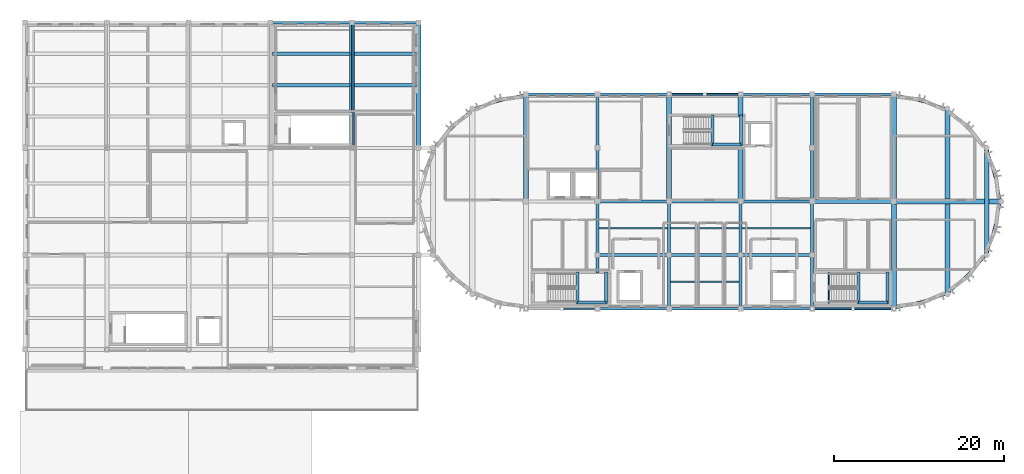
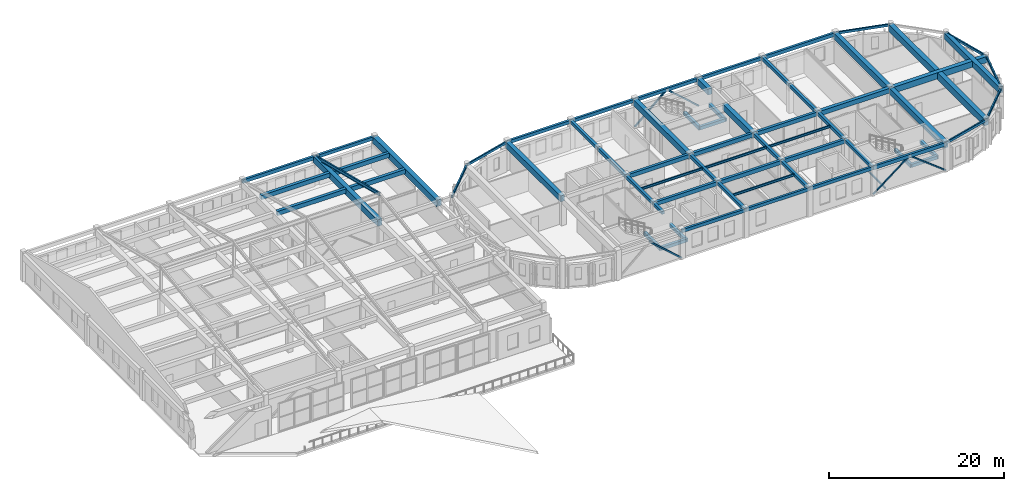
# One storey, part 12 of 29: 66 beams, 6 members.
"""IFC4 building model written with IfcOpenShell, lengths in metres."""

from ifc_helpers import new_model, si_unit, direction, frame, origin, origin_2d, place, context, subcontext, project, spatial, rectangle, hollow_rectangle, i_section, extrude, material, material_profile, profile_set, type_object, element, save


model = new_model("IFC4")

# Units and contexts
model_context = context("Model", 3, precision=1e-05, world=origin(), true_north=direction((0.0, 1.0)))
body_context = subcontext(model_context, "Body", "Model", "MODEL_VIEW")
ifc_project = project(units=[si_unit("LENGTHUNIT", "METRE"), si_unit("AREAUNIT", "SQUARE_METRE"), si_unit("VOLUMEUNIT", "CUBIC_METRE"), si_unit("PLANEANGLEUNIT", "RADIAN"), si_unit("MASSUNIT", "GRAM", prefix="KILO")], contexts=[model_context])

# Site, building, storey
site_placement = place(None, origin())
site = spatial("IfcSite", under=ifc_project, at=site_placement, CompositionType="ELEMENT")
building_placement = place(site_placement, origin())
building = spatial("IfcBuilding", under=site, at=building_placement, Name="Tarnavel Promenade Courthouse", CompositionType="ELEMENT")
storey_placement = place(building_placement, frame((0.0, 0.0, 22.800048828125)))
storey = spatial("IfcBuildingStorey", under=building, at=storey_placement, Name="L06", CompositionType="ELEMENT", Elevation=22.800048828125)

# Beams
ifc_material_1 = material(Name="Concrete C40/50", Category="concrete")
ifc_material_profile_1 = material_profile(ifc_material_1, rectangle(XDim=0.39990234375, YDim=0.60009765625, at=origin_2d()), Name="PT 400x600")
ifc_profile_set_1 = profile_set([ifc_material_profile_1], Name="Concrete C40/50")
beam_type_1 = type_object("IfcBeamType", Name="Concrete C40/50 BM-PT-400x600 (PT 400x600)", PredefinedType="JOIST", material=ifc_profile_set_1)
for number, where, z_axis, x_axis, name in (
    (1, (29.070068359375, 105.449951171875, 3.6650390625), (1.0, 0.0, 0.0), (0.0, 1.0, 0.0), "L06 Secondary Floor Rib 2501"),
    (2, (29.070068359375, 109.125, 3.6650390625), (1.0, 0.0, 0.0), (0.0, 1.0, 0.0), "L06 Secondary Floor Rib 2502"),
):
    element("IfcBeam", number, at=place(storey_placement, frame(where, z_axis=z_axis, x_axis=x_axis)), inside=storey, type_object=beam_type_1, Name=name, PredefinedType="JOIST", context=body_context, shape_type="SweptSolid", body=[
        extrude(rectangle(XDim=0.39990234375, YDim=0.60009765625, at=origin_2d()), origin(), (0.0, 0.0, 1.0), 9.059814453125),
    ])
for number, where, z_axis, x_axis, name in (
    (3, (38.669921875, 105.449951171875, 3.6650390625), (1.0, 0.0, 0.0), (0.0, 1.0, 0.0), "L06 Secondary Floor Rib 2503"),
    (4, (38.669921875, 109.125, 3.6650390625), (1.0, 0.0, 0.0), (0.0, 1.0, 0.0), "L06 Secondary Floor Rib 2504"),
):
    element("IfcBeam", number, at=place(storey_placement, frame(where, z_axis=z_axis, x_axis=x_axis)), inside=storey, type_object=beam_type_1, Name=name, PredefinedType="JOIST", context=body_context, shape_type="SweptSolid", body=[
        extrude(rectangle(XDim=0.39990234375, YDim=0.60009765625, at=origin_2d()), origin(), (0.0, 0.0, 1.0), 7.260009765625),
    ])
ifc_material_profile_2 = material_profile(ifc_material_1, rectangle(XDim=0.550048828125, YDim=0.85009765625, at=origin_2d()), Name="PT 550x850")
ifc_profile_set_2 = profile_set([ifc_material_profile_2], Name="Concrete C40/50")
beam_type_2 = type_object("IfcBeamType", Name="Concrete C40/50 BM-PT-550x850 (PT 550x850)", PredefinedType="T_BEAM", material=ifc_profile_set_2)
beam_1_placement = place(storey_placement, frame((102.0, 91.800048828125, 3.5400390625), z_axis=(1.0, 0.0, 0.0), x_axis=(0.0, 1.0, 0.0)))
element("IfcBeam", 5, at=beam_1_placement, inside=storey, type_object=beam_type_2, Name="L06 Primary Longitudinal Beam 2415", PredefinedType="T_BEAM", context=body_context, shape_type="SweptSolid", body=[
    extrude(rectangle(XDim=0.550048828125, YDim=0.85009765625, at=origin_2d()), origin(), (0.0, 0.0, 1.0), 12.60009765625),
])
for number, where, z_axis, x_axis, name in (
    (6, (58.800048828125, 91.800048828125, 3.5400390625), (0.0, 1.0, 0.0), (-1.0, 0.0, 0.0), "L06 Transverse Girder 2454"),
    (7, (75.60009765625, 91.800048828125, 3.5400390625), (0.0, 1.0, 0.0), (-1.0, 0.0, 0.0), "L06 Transverse Girder 2461"),
):
    element("IfcBeam", number, at=place(storey_placement, frame(where, z_axis=z_axis, x_axis=x_axis)), inside=storey, type_object=beam_type_2, Name=name, PredefinedType="T_BEAM", context=body_context, shape_type="SweptSolid", body=[
        extrude(rectangle(XDim=0.550048828125, YDim=0.85009765625, at=origin_2d()), origin(), (0.0, 0.0, 1.0), 12.599853515625),
    ])
beam_2_placement = place(storey_placement, frame((84.0, 91.800048828125, 3.5400390625), z_axis=(0.0, 1.0, 0.0), x_axis=(-1.0, 0.0, 0.0)))
element("IfcBeam", 8, at=beam_2_placement, inside=storey, type_object=beam_type_2, Name="L06 Transverse Girder 2464", PredefinedType="T_BEAM", context=body_context, shape_type="SweptSolid", body=[
    extrude(rectangle(XDim=0.550048828125, YDim=0.85009765625, at=origin_2d()), origin(), (0.0, 0.0, 1.0), 6.64990234375),
])
beam_3_placement = place(storey_placement, frame((84.0, 101.7900390625, 3.5400390625), z_axis=(0.0, 1.0, 0.0), x_axis=(-1.0, 0.0, 0.0)))
element("IfcBeam", 9, at=beam_3_placement, inside=storey, type_object=beam_type_2, Name="L06 Transverse Girder 2465", PredefinedType="T_BEAM", context=body_context, shape_type="SweptSolid", body=[
    extrude(rectangle(XDim=0.550048828125, YDim=0.85009765625, at=origin_2d()), origin(), (0.0, 0.0, 1.0), 2.60986328125),
])
beam_4_placement = place(storey_placement, frame((102.0, 79.199951171875, 3.5400390625), z_axis=(0.0, 1.0, 0.0), x_axis=(-1.0, 0.0, 0.0)))
element("IfcBeam", 10, at=beam_4_placement, inside=storey, type_object=beam_type_2, Name="L06 Transverse Girder 2470", PredefinedType="T_BEAM", context=body_context, shape_type="SweptSolid", body=[
    extrude(rectangle(XDim=0.550048828125, YDim=0.85009765625, at=origin_2d()), origin(), (0.0, 0.0, 1.0), 12.60009765625),
])
beam_5_placement = place(storey_placement, frame((102.0, 91.800048828125, 3.5400390625), z_axis=(0.0, 1.0, 0.0), x_axis=(-1.0, 0.0, 0.0)))
element("IfcBeam", 11, at=beam_5_placement, inside=storey, type_object=beam_type_2, Name="L06 Transverse Girder 2471", PredefinedType="T_BEAM", context=body_context, shape_type="SweptSolid", body=[
    extrude(rectangle(XDim=0.550048828125, YDim=0.85009765625, at=origin_2d()), origin(), (0.0, 0.0, 1.0), 12.599853515625),
])
beam_6_placement = place(storey_placement, frame((112.911865234375, 85.5, 3.5400390625), z_axis=(0.0, 1.0, 0.0), x_axis=(-1.0, 0.0, 0.0)))
element("IfcBeam", 12, at=beam_6_placement, inside=storey, type_object=beam_type_2, Name="L06 Transverse Girder 2473", PredefinedType="T_BEAM", context=body_context, shape_type="SweptSolid", body=[
    extrude(rectangle(XDim=0.550048828125, YDim=0.85009765625, at=origin_2d()), origin(), (0.0, 0.0, 1.0), 12.60009765625),
])
ifc_material_profile_3 = material_profile(ifc_material_1, rectangle(XDim=0.60009765625, YDim=0.89990234375, at=origin_2d()), Name="PT 600x900")
ifc_profile_set_3 = profile_set([ifc_material_profile_3], Name="Concrete C40/50")
beam_type_3 = type_object("IfcBeamType", Name="Concrete C40/50 BM-PT-600x900 (PT 600x900)", PredefinedType="T_BEAM", material=ifc_profile_set_3)
for number, where, z_axis, x_axis, name in (
    (13, (38.39990234375, 98.10009765625, 3.514892578125), (0.0, 1.0, 0.0), (-1.0, 0.0, 0.0), "L06 Transverse Girder 2446"),
    (14, (46.199951171875, 98.10009765625, 3.514892578125), (0.0, 1.0, 0.0), (-1.0, 0.0, 0.0), "L06 Transverse Girder 2450"),
):
    element("IfcBeam", number, at=place(storey_placement, frame(where, z_axis=z_axis, x_axis=x_axis)), inside=storey, type_object=beam_type_3, Name=name, PredefinedType="T_BEAM", context=body_context, shape_type="SweptSolid", body=[
        extrude(rectangle(XDim=0.60009765625, YDim=0.89990234375, at=origin_2d()), origin(), (0.0, 0.0, 1.0), 14.699951171875),
    ])
ifc_material_profile_4 = material_profile(ifc_material_1, rectangle(XDim=0.60009765625, YDim=0.949951171875, at=origin_2d()), Name="PT 600x950")
ifc_profile_set_4 = profile_set([ifc_material_profile_4], Name="Concrete C40/50")
beam_type_4 = type_object("IfcBeamType", Name="Concrete C40/50 BM-PT-600x950 (PT 600x950)", PredefinedType="T_BEAM", material=ifc_profile_set_4)
beam_7_placement = place(storey_placement, frame((108.300048828125, 80.88818359375, 3.489990234375), z_axis=(0.0, 1.0, 0.0), x_axis=(-1.0, 0.0, 0.0)))
element("IfcBeam", 15, at=beam_7_placement, inside=storey, type_object=beam_type_4, Name="L06 Transverse Girder 2472", PredefinedType="T_BEAM", context=body_context, shape_type="SweptSolid", body=[
    extrude(rectangle(XDim=0.60009765625, YDim=0.949951171875, at=origin_2d()), origin(), (0.0, 0.0, 1.0), 21.82373046875),
])
ifc_material_profile_5 = material_profile(ifc_material_1, rectangle(XDim=0.35009765625, YDim=0.449951171875, at=origin_2d()), Name="RC 350x450")
ifc_profile_set_5 = profile_set([ifc_material_profile_5], Name="Concrete C40/50")
beam_type_5 = type_object("IfcBeamType", Name="Concrete C40/50 BM-RC-350x450 (RC 350x450)", PredefinedType="BEAM", material=ifc_profile_set_5)
beam_8_placement = place(storey_placement, frame((67.199951171875, 83.3701171875, 3.739990234375), z_axis=(0.0, 1.0, 0.0), x_axis=(-1.0, 0.0, 0.0)))
element("IfcBeam", 16, at=beam_8_placement, inside=storey, type_object=beam_type_5, Name="L06 Transverse Girder 2455", PredefinedType="BEAM", context=body_context, shape_type="SweptSolid", body=[
    extrude(rectangle(XDim=0.35009765625, YDim=0.449951171875, at=origin_2d()), origin(), (0.0, 0.0, 1.0), 2.1298828125),
])
for number, where, z_axis, x_axis, name in (
    (17, (67.199951171875, 85.5, 3.739990234375), (0.0, 1.0, 0.0), (-1.0, 0.0, 0.0), "L06 Transverse Girder 2456"),
    (18, (67.199951171875, 91.800048828125, 3.739990234375), (0.0, 1.0, 0.0), (-1.0, 0.0, 0.0), "L06 Transverse Girder 2457"),
):
    element("IfcBeam", number, at=place(storey_placement, frame(where, z_axis=z_axis, x_axis=x_axis)), inside=storey, type_object=beam_type_5, Name=name, PredefinedType="BEAM", context=body_context, shape_type="SweptSolid", body=[
        extrude(rectangle(XDim=0.35009765625, YDim=0.449951171875, at=origin_2d()), origin(), (0.0, 0.0, 1.0), 6.300048828125),
    ])
beam_9_placement = place(storey_placement, frame((67.199951171875, 98.10009765625, 3.739990234375), z_axis=(0.0, 1.0, 0.0), x_axis=(-1.0, 0.0, 0.0)))
element("IfcBeam", 19, at=beam_9_placement, inside=storey, type_object=beam_type_5, Name="L06 Transverse Girder 2458", PredefinedType="BEAM", context=body_context, shape_type="SweptSolid", body=[
    extrude(rectangle(XDim=0.35009765625, YDim=0.449951171875, at=origin_2d()), origin(), (0.0, 0.0, 1.0), 6.2998046875),
])
for number, where, z_axis, x_axis, name in (
    (20, (75.60009765625, 79.199951171875, 3.739990234375), (0.0, 1.0, 0.0), (-1.0, 0.0, 0.0), "L06 Transverse Girder 2459"),
    (21, (75.60009765625, 85.5, 3.739990234375), (0.0, 1.0, 0.0), (-1.0, 0.0, 0.0), "L06 Transverse Girder 2460"),
    (22, (84.0, 79.199951171875, 3.739990234375), (0.0, 1.0, 0.0), (-1.0, 0.0, 0.0), "L06 Transverse Girder 2462"),
    (23, (84.0, 85.5, 3.739990234375), (0.0, 1.0, 0.0), (-1.0, 0.0, 0.0), "L06 Transverse Girder 2463"),
    (24, (92.39990234375, 79.199951171875, 3.739990234375), (0.0, 1.0, 0.0), (-1.0, 0.0, 0.0), "L06 Transverse Girder 2466"),
    (25, (92.39990234375, 85.5, 3.739990234375), (0.0, 1.0, 0.0), (-1.0, 0.0, 0.0), "L06 Transverse Girder 2467"),
    (26, (92.39990234375, 91.800048828125, 3.739990234375), (0.0, 1.0, 0.0), (-1.0, 0.0, 0.0), "L06 Transverse Girder 2468"),
):
    element("IfcBeam", number, at=place(storey_placement, frame(where, z_axis=z_axis, x_axis=x_axis)), inside=storey, type_object=beam_type_5, Name=name, PredefinedType="BEAM", context=body_context, shape_type="SweptSolid", body=[
        extrude(rectangle(XDim=0.35009765625, YDim=0.449951171875, at=origin_2d()), origin(), (0.0, 0.0, 1.0), 6.300048828125),
    ])
beam_10_placement = place(storey_placement, frame((92.39990234375, 98.10009765625, 3.739990234375), z_axis=(0.0, 1.0, 0.0), x_axis=(-1.0, 0.0, 0.0)))
element("IfcBeam", 27, at=beam_10_placement, inside=storey, type_object=beam_type_5, Name="L06 Transverse Girder 2469", PredefinedType="BEAM", context=body_context, shape_type="SweptSolid", body=[
    extrude(rectangle(XDim=0.35009765625, YDim=0.449951171875, at=origin_2d()), origin(), (0.0, 0.0, 1.0), 6.2998046875),
])
for number, where, z_axis, x_axis, name in (
    (28, (64.840087890625, 79.800048828125, 1.669921875), (0.0, 1.0, 0.0), (-1.0, 0.0, 0.0), "L06 ST-01 Mid-Landing Support Beam Near"),
    (29, (68.219970703125, 79.800048828125, 1.669921875), (0.0, 1.0, 0.0), (-1.0, 0.0, 0.0), "L06 ST-01 Mid-Landing Support Beam Far"),
):
    element("IfcBeam", number, at=place(storey_placement, frame(where, z_axis=z_axis, x_axis=x_axis)), inside=storey, type_object=beam_type_5, Name=name, PredefinedType="BEAM", context=body_context, shape_type="SweptSolid", body=[
        extrude(rectangle(XDim=0.35009765625, YDim=0.449951171875, at=origin_2d()), origin(), (0.0, 0.0, 1.0), 3.719970703125),
    ])
beam_11_placement = place(storey_placement, frame((64.840087890625, 79.949951171875, 1.669921875), z_axis=(1.0, 0.0, 0.0), x_axis=(0.0, 1.0, 0.0)))
element("IfcBeam", 30, at=beam_11_placement, inside=storey, type_object=beam_type_5, Name="L06 ST-01 Mid-Landing Edge Trimmer", PredefinedType="BEAM", context=body_context, shape_type="SweptSolid", body=[
    extrude(rectangle(XDim=0.35009765625, YDim=0.449951171875, at=origin_2d()), origin(), (0.0, 0.0, 1.0), 3.3798828125),
])
for number, where, z_axis, x_axis, name in (
    (31, (97.840087890625, 79.800048828125, 1.669921875), (0.0, 1.0, 0.0), (-1.0, 0.0, 0.0), "L06 ST-02 Mid-Landing Support Beam Near"),
    (32, (101.219970703125, 79.800048828125, 1.669921875), (0.0, 1.0, 0.0), (-1.0, 0.0, 0.0), "L06 ST-02 Mid-Landing Support Beam Far"),
):
    element("IfcBeam", number, at=place(storey_placement, frame(where, z_axis=z_axis, x_axis=x_axis)), inside=storey, type_object=beam_type_5, Name=name, PredefinedType="BEAM", context=body_context, shape_type="SweptSolid", body=[
        extrude(rectangle(XDim=0.35009765625, YDim=0.449951171875, at=origin_2d()), origin(), (0.0, 0.0, 1.0), 3.719970703125),
    ])
beam_12_placement = place(storey_placement, frame((97.840087890625, 79.949951171875, 1.669921875), z_axis=(1.0, 0.0, 0.0), x_axis=(0.0, 1.0, 0.0)))
element("IfcBeam", 33, at=beam_12_placement, inside=storey, type_object=beam_type_5, Name="L06 ST-02 Mid-Landing Edge Trimmer", PredefinedType="BEAM", context=body_context, shape_type="SweptSolid", body=[
    extrude(rectangle(XDim=0.35009765625, YDim=0.449951171875, at=origin_2d()), origin(), (0.0, 0.0, 1.0), 3.3798828125),
])
for number, where, z_axis, x_axis, name in (
    (34, (80.68994140625, 98.320068359375, 1.669921875), (0.0, 1.0, 0.0), (-1.0, 0.0, 0.0), "L06 ST-03 Mid-Landing Support Beam Near"),
    (35, (84.02001953125, 98.320068359375, 1.669921875), (0.0, 1.0, 0.0), (-1.0, 0.0, 0.0), "L06 ST-03 Mid-Landing Support Beam Far"),
):
    element("IfcBeam", number, at=place(storey_placement, frame(where, z_axis=z_axis, x_axis=x_axis)), inside=storey, type_object=beam_type_5, Name=name, PredefinedType="BEAM", context=body_context, shape_type="SweptSolid", body=[
        extrude(rectangle(XDim=0.35009765625, YDim=0.449951171875, at=origin_2d()), origin(), (0.0, 0.0, 1.0), 3.599853515625),
    ])
beam_13_placement = place(storey_placement, frame((80.68994140625, 98.469970703125, 1.669921875), z_axis=(1.0, 0.0, 0.0), x_axis=(0.0, 1.0, 0.0)))
element("IfcBeam", 36, at=beam_13_placement, inside=storey, type_object=beam_type_5, Name="L06 ST-03 Mid-Landing Edge Trimmer", PredefinedType="BEAM", context=body_context, shape_type="SweptSolid", body=[
    extrude(rectangle(XDim=0.35009765625, YDim=0.449951171875, at=origin_2d()), origin(), (0.0, 0.0, 1.0), 3.330078125),
])
ifc_material_profile_6 = material_profile(ifc_material_1, rectangle(XDim=0.35009765625, YDim=0.550048828125, at=origin_2d()), Name="RC 350x550")
ifc_profile_set_6 = profile_set([ifc_material_profile_6], Name="Concrete C40/50")
beam_type_6 = type_object("IfcBeamType", Name="Concrete C40/50 BM-RC-350x550 (RC 350x550)", PredefinedType="BEAM", material=ifc_profile_set_6)
beam_14_placement = place(storey_placement, frame((67.199951171875, 85.5, 3.68994140625), z_axis=(1.0, 0.0, 0.0), x_axis=(0.0, 1.0, 0.0)))
element("IfcBeam", 37, at=beam_14_placement, inside=storey, type_object=beam_type_6, Name="L06 Primary Longitudinal Beam 2407", PredefinedType="BEAM", context=body_context, shape_type="SweptSolid", body=[
    extrude(rectangle(XDim=0.35009765625, YDim=0.550048828125, at=origin_2d()), origin(), (0.0, 0.0, 1.0), 8.400146484375),
])
for number, where, z_axis, x_axis, name in (
    (38, (75.60009765625, 85.5, 3.68994140625), (1.0, 0.0, 0.0), (0.0, 1.0, 0.0), "L06 Primary Longitudinal Beam 2408"),
    (39, (84.0, 85.5, 3.68994140625), (1.0, 0.0, 0.0), (0.0, 1.0, 0.0), "L06 Primary Longitudinal Beam 2409"),
):
    element("IfcBeam", number, at=place(storey_placement, frame(where, z_axis=z_axis, x_axis=x_axis)), inside=storey, type_object=beam_type_6, Name=name, PredefinedType="BEAM", context=body_context, shape_type="SweptSolid", body=[
        extrude(rectangle(XDim=0.35009765625, YDim=0.550048828125, at=origin_2d()), origin(), (0.0, 0.0, 1.0), 8.39990234375),
    ])
beam_15_placement = place(storey_placement, frame((67.199951171875, 91.800048828125, 3.68994140625), z_axis=(1.0, 0.0, 0.0), x_axis=(0.0, 1.0, 0.0)))
element("IfcBeam", 40, at=beam_15_placement, inside=storey, type_object=beam_type_6, Name="L06 Primary Longitudinal Beam 2411", PredefinedType="BEAM", context=body_context, shape_type="SweptSolid", body=[
    extrude(rectangle(XDim=0.35009765625, YDim=0.550048828125, at=origin_2d()), origin(), (0.0, 0.0, 1.0), 8.400146484375),
])
for number, where, z_axis, x_axis, name in (
    (41, (75.60009765625, 91.800048828125, 3.68994140625), (1.0, 0.0, 0.0), (0.0, 1.0, 0.0), "L06 Primary Longitudinal Beam 2412"),
    (42, (84.0, 91.800048828125, 3.68994140625), (1.0, 0.0, 0.0), (0.0, 1.0, 0.0), "L06 Primary Longitudinal Beam 2413"),
):
    element("IfcBeam", number, at=place(storey_placement, frame(where, z_axis=z_axis, x_axis=x_axis)), inside=storey, type_object=beam_type_6, Name=name, PredefinedType="BEAM", context=body_context, shape_type="SweptSolid", body=[
        extrude(rectangle(XDim=0.35009765625, YDim=0.550048828125, at=origin_2d()), origin(), (0.0, 0.0, 1.0), 8.39990234375),
    ])
ifc_material_profile_7 = material_profile(ifc_material_1, rectangle(XDim=0.449951171875, YDim=0.64990234375, at=origin_2d()), Name="RC 450x650")
ifc_profile_set_7 = profile_set([ifc_material_profile_7], Name="Concrete C40/50")
beam_type_7 = type_object("IfcBeamType", Name="Concrete C40/50 BM-RC-450x650 (RC 450x650)", PredefinedType="T_BEAM", material=ifc_profile_set_7)
beam_16_placement = place(storey_placement, frame((92.39990234375, 91.800048828125, 3.639892578125), z_axis=(1.0, 0.0, 0.0), x_axis=(0.0, 1.0, 0.0)))
element("IfcBeam", 43, at=beam_16_placement, inside=storey, type_object=beam_type_7, Name="L06 Primary Longitudinal Beam 2414", PredefinedType="T_BEAM", context=body_context, shape_type="SweptSolid", body=[
    extrude(rectangle(XDim=0.449951171875, YDim=0.64990234375, at=origin_2d()), origin(), (0.0, 0.0, 1.0), 9.60009765625),
])
ifc_material_profile_8 = material_profile(ifc_material_1, rectangle(XDim=0.300048828125, YDim=0.449951171875, at=origin_2d()), Name="RC 300x450")
ifc_profile_set_8 = profile_set([ifc_material_profile_8], Name="Concrete C40/50")
beam_type_8 = type_object("IfcBeamType", Name="Concrete C40/50 BM-SP-300x450 (RC 300x450)", PredefinedType="SPANDREL", material=ifc_profile_set_8)
beam_17_placement = place(storey_placement, frame((67.199951171875, 79.199951171875, 3.739990234375), z_axis=(1.0, 0.0, 0.0), x_axis=(0.0, 1.0, 0.0)))
element("IfcBeam", 44, at=beam_17_placement, inside=storey, type_object=beam_type_8, Name="L06 Primary Longitudinal Beam 2397", PredefinedType="SPANDREL", context=body_context, shape_type="SweptSolid", body=[
    extrude(rectangle(XDim=0.300048828125, YDim=0.449951171875, at=origin_2d()), origin(), (0.0, 0.0, 1.0), 8.400146484375),
])
for number, where, z_axis, x_axis, name in (
    (45, (75.60009765625, 79.199951171875, 3.739990234375), (1.0, 0.0, 0.0), (0.0, 1.0, 0.0), "L06 Primary Longitudinal Beam 2398"),
    (46, (84.0, 79.199951171875, 3.739990234375), (1.0, 0.0, 0.0), (0.0, 1.0, 0.0), "L06 Primary Longitudinal Beam 2399"),
    (47, (58.800048828125, 104.39990234375, 3.739990234375), (1.0, 0.0, 0.0), (0.0, 1.0, 0.0), "L06 Primary Longitudinal Beam 2422"),
):
    element("IfcBeam", number, at=place(storey_placement, frame(where, z_axis=z_axis, x_axis=x_axis)), inside=storey, type_object=beam_type_8, Name=name, PredefinedType="SPANDREL", context=body_context, shape_type="SweptSolid", body=[
        extrude(rectangle(XDim=0.300048828125, YDim=0.449951171875, at=origin_2d()), origin(), (0.0, 0.0, 1.0), 8.39990234375),
    ])
beam_18_placement = place(storey_placement, frame((67.199951171875, 104.39990234375, 3.739990234375), z_axis=(1.0, 0.0, 0.0), x_axis=(0.0, 1.0, 0.0)))
element("IfcBeam", 48, at=beam_18_placement, inside=storey, type_object=beam_type_8, Name="L06 Primary Longitudinal Beam 2423", PredefinedType="SPANDREL", context=body_context, shape_type="SweptSolid", body=[
    extrude(rectangle(XDim=0.300048828125, YDim=0.449951171875, at=origin_2d()), origin(), (0.0, 0.0, 1.0), 8.400146484375),
])
for number, where, z_axis, x_axis, name in (
    (49, (75.60009765625, 104.39990234375, 3.739990234375), (1.0, 0.0, 0.0), (0.0, 1.0, 0.0), "L06 Primary Longitudinal Beam 2424"),
    (50, (84.0, 104.39990234375, 3.739990234375), (1.0, 0.0, 0.0), (0.0, 1.0, 0.0), "L06 Primary Longitudinal Beam 2425"),
):
    element("IfcBeam", number, at=place(storey_placement, frame(where, z_axis=z_axis, x_axis=x_axis)), inside=storey, type_object=beam_type_8, Name=name, PredefinedType="SPANDREL", context=body_context, shape_type="SweptSolid", body=[
        extrude(rectangle(XDim=0.300048828125, YDim=0.449951171875, at=origin_2d()), origin(), (0.0, 0.0, 1.0), 8.39990234375),
    ])
beam_19_placement = place(storey_placement, frame((38.39990234375, 112.800048828125, 3.739990234375), z_axis=(1.0, 0.0, 0.0), x_axis=(0.0, 1.0, 0.0)))
element("IfcBeam", 51, at=beam_19_placement, inside=storey, type_object=beam_type_8, Name="L06 Primary Longitudinal Beam 2431", PredefinedType="SPANDREL", context=body_context, shape_type="SweptSolid", body=[
    extrude(rectangle(XDim=0.300048828125, YDim=0.449951171875, at=origin_2d()), origin(), (0.0, 0.0, 1.0), 7.800048828125),
])
ifc_material_profile_9 = material_profile(ifc_material_1, rectangle(XDim=0.300048828125, YDim=0.5, at=origin_2d()), Name="RC 300x500")
ifc_profile_set_9 = profile_set([ifc_material_profile_9], Name="Concrete C40/50")
beam_type_9 = type_object("IfcBeamType", Name="Concrete C40/50 BM-SP-300x500 (RC 300x500)", PredefinedType="SPANDREL", material=ifc_profile_set_9)
for number, where, z_axis, x_axis, name in (
    (52, (92.39990234375, 79.199951171875, 3.71484375), (1.0, 0.0, 0.0), (0.0, 1.0, 0.0), "L06 Primary Longitudinal Beam 2400"),
    (53, (92.39990234375, 104.39990234375, 3.71484375), (1.0, 0.0, 0.0), (0.0, 1.0, 0.0), "L06 Primary Longitudinal Beam 2426"),
):
    element("IfcBeam", number, at=place(storey_placement, frame(where, z_axis=z_axis, x_axis=x_axis)), inside=storey, type_object=beam_type_9, Name=name, PredefinedType="SPANDREL", context=body_context, shape_type="SweptSolid", body=[
        extrude(rectangle(XDim=0.300048828125, YDim=0.5, at=origin_2d()), origin(), (0.0, 0.0, 1.0), 9.60009765625),
    ])
beam_20_placement = place(storey_placement, frame((28.800048828125, 112.800048828125, 3.71484375), z_axis=(1.0, 0.0, 0.0), x_axis=(0.0, 1.0, 0.0)))
element("IfcBeam", 54, at=beam_20_placement, inside=storey, type_object=beam_type_9, Name="L06 Primary Longitudinal Beam 2430", PredefinedType="SPANDREL", context=body_context, shape_type="SweptSolid", body=[
    extrude(rectangle(XDim=0.300048828125, YDim=0.5, at=origin_2d()), origin(), (0.0, 0.0, 1.0), 9.599853515625),
])
ifc_material_2 = material(Name="Steel S355J2", Category="steel")
ifc_material_profile_10 = material_profile(ifc_material_2, i_section(OverallWidth=0.159912109375, OverallDepth=0.330078125, WebThickness=0.007568359375, FlangeThickness=0.011474609375, FilletRadius=0.01806640625, at=origin_2d()), Name="IPE 330")
ifc_profile_set_10 = profile_set([ifc_material_profile_10], Name="Steel S355J2")
beam_type_10 = type_object("IfcBeamType", Name="Steel S355J2 BM-ST-IPE330 (IPE 330)", PredefinedType="JOIST", material=ifc_profile_set_10)
beam_21_placement = place(storey_placement, frame((67.344970703125, 88.64990234375, 3.800048828125), z_axis=(1.0, 0.0, 0.0), x_axis=(0.0, 1.0, 0.0)))
element("IfcBeam", 55, at=beam_21_placement, inside=storey, type_object=beam_type_10, Name="L06 Secondary Floor Rib 2505", PredefinedType="JOIST", context=body_context, shape_type="SweptSolid", body=[
    extrude(i_section(OverallWidth=0.159912109375, OverallDepth=0.330078125, WebThickness=0.007568359375, FlangeThickness=0.011474609375, FilletRadius=0.01806640625, at=origin_2d()), origin(), (0.0, 0.0, 1.0), 8.110107421875),
])
for number, where, z_axis, x_axis, name in (
    (56, (75.7451171875, 88.64990234375, 3.800048828125), (1.0, 0.0, 0.0), (0.0, 1.0, 0.0), "L06 Secondary Floor Rib 2506"),
    (57, (84.14501953125, 88.64990234375, 3.800048828125), (1.0, 0.0, 0.0), (0.0, 1.0, 0.0), "L06 Secondary Floor Rib 2507"),
    (58, (75.7451171875, 82.35009765625, 3.800048828125), (1.0, 0.0, 0.0), (0.0, 1.0, 0.0), "L06 Secondary Floor Rib 2508"),
):
    element("IfcBeam", number, at=place(storey_placement, frame(where, z_axis=z_axis, x_axis=x_axis)), inside=storey, type_object=beam_type_10, Name=name, PredefinedType="JOIST", context=body_context, shape_type="SweptSolid", body=[
        extrude(i_section(OverallWidth=0.159912109375, OverallDepth=0.330078125, WebThickness=0.007568359375, FlangeThickness=0.011474609375, FilletRadius=0.01806640625, at=origin_2d()), origin(), (0.0, 0.0, 1.0), 8.10986328125),
    ])
ifc_material_profile_11 = material_profile(ifc_material_2, i_section(OverallWidth=0.18994140625, OverallDepth=0.449951171875, WebThickness=0.009521484375, FlangeThickness=0.0146484375, FilletRadius=0.02099609375, at=origin_2d()), Name="IPE 450")
ifc_profile_set_11 = profile_set([ifc_material_profile_11], Name="Steel S355J2")
beam_type_11 = type_object("IfcBeamType", Name="Steel S355J2 BM-ST-IPE450 (IPE 450)", PredefinedType="BEAM", material=ifc_profile_set_11)
beam_22_placement = place(storey_placement, frame((38.39990234375, 98.10009765625, 7.449951171875), z_axis=(0.0, 0.970530944295, -0.24097652617), x_axis=(-1.0, 0.0, 0.0)))
element("IfcBeam", 59, at=beam_22_placement, inside=storey, type_object=beam_type_11, Name="Trial Wing Roof Rafter N", PredefinedType="BEAM", context=body_context, shape_type="SweptSolid", body=[
    extrude(i_section(OverallWidth=0.18994140625, OverallDepth=0.449951171875, WebThickness=0.009521484375, FlangeThickness=0.0146484375, FilletRadius=0.02099609375, at=origin_2d()), origin(), (0.0, 0.0, 1.0), 15.146240234375),
])
ifc_material_profile_12 = material_profile(ifc_material_2, hollow_rectangle(XDim=0.199951171875, YDim=0.35009765625, WallThickness=0.012451171875, InnerFilletRadius=0.012451171875, OuterFilletRadius=0.02490234375, at=origin_2d()), Name="RHS 350x200x12.5")
ifc_profile_set_12 = profile_set([ifc_material_profile_12], Name="Steel S355J2")
beam_type_12 = type_object("IfcBeamType", Name="Steel S355J2 BM-ST-RHS350 (RHS 350x200x12.5)", PredefinedType="SPANDREL", material=ifc_profile_set_12)
beam_23_placement = place(storey_placement, frame((58.800048828125, 104.39990234375, 3.7900390625), z_axis=(-0.965929839907, -0.258804065612, 0.0), x_axis=(0.258804065612, -0.965929839907, 0.0)))
element("IfcBeam", 60, at=beam_23_placement, inside=storey, type_object=beam_type_12, Name="L06 Drum Ring Spandrel 2509", PredefinedType="SPANDREL", context=body_context, shape_type="SweptSolid", body=[
    extrude(hollow_rectangle(XDim=0.199951171875, YDim=0.35009765625, WallThickness=0.012451171875, InnerFilletRadius=0.012451171875, OuterFilletRadius=0.02490234375, at=origin_2d()), origin(), (0.0, 0.0, 1.0), 6.522216796875),
])
beam_24_placement = place(storey_placement, frame((52.5, 102.7119140625, 3.7900390625), z_axis=(-0.707106781187, -0.707106781187, 0.0), x_axis=(0.707106781187, -0.707106781187, 0.0)))
element("IfcBeam", 61, at=beam_24_placement, inside=storey, type_object=beam_type_12, Name="L06 Drum Ring Spandrel 2510", PredefinedType="SPANDREL", context=body_context, shape_type="SweptSolid", body=[
    extrude(hollow_rectangle(XDim=0.199951171875, YDim=0.35009765625, WallThickness=0.012451171875, InnerFilletRadius=0.012451171875, OuterFilletRadius=0.02490234375, at=origin_2d()), origin(), (0.0, 0.0, 1.0), 6.52197265625),
])
beam_25_placement = place(storey_placement, frame((102.0, 79.199951171875, 3.7900390625), z_axis=(0.965920481897, 0.258838989821, 0.0), x_axis=(-0.258838989821, 0.965920481897, 0.0)))
element("IfcBeam", 62, at=beam_25_placement, inside=storey, type_object=beam_type_12, Name="L06 Drum Ring Spandrel 2515", PredefinedType="SPANDREL", context=body_context, shape_type="SweptSolid", body=[
    extrude(hollow_rectangle(XDim=0.199951171875, YDim=0.35009765625, WallThickness=0.012451171875, InnerFilletRadius=0.012451171875, OuterFilletRadius=0.02490234375, at=origin_2d()), origin(), (0.0, 0.0, 1.0), 6.522216796875),
])
beam_26_placement = place(storey_placement, frame((108.300048828125, 80.88818359375, 3.7900390625), z_axis=(0.707106781187, 0.707106781187, 0.0), x_axis=(-0.707106781187, 0.707106781187, 0.0)))
element("IfcBeam", 63, at=beam_26_placement, inside=storey, type_object=beam_type_12, Name="L06 Drum Ring Spandrel 2516", PredefinedType="SPANDREL", context=body_context, shape_type="SweptSolid", body=[
    extrude(hollow_rectangle(XDim=0.199951171875, YDim=0.35009765625, WallThickness=0.012451171875, InnerFilletRadius=0.012451171875, OuterFilletRadius=0.02490234375, at=origin_2d()), origin(), (0.0, 0.0, 1.0), 6.52197265625),
])
for number, where, z_axis, x_axis, name in (
    (64, (112.911865234375, 85.5, 3.7900390625), (0.258838989821, 0.965920481897, 0.0), (-0.965920481897, 0.258838989821, 0.0), "L06 Drum Ring Spandrel 2517"),
    (65, (114.60009765625, 91.800048828125, 3.7900390625), (-0.258838989821, 0.965920481897, 0.0), (-0.965920481897, -0.258838989821, 0.0), "L06 Drum Ring Spandrel 2518"),
    (66, (108.300048828125, 102.7119140625, 3.7900390625), (-0.965929839907, 0.258804065612, 0.0), (-0.258804065612, -0.965929839907, 0.0), "L06 Drum Ring Spandrel 2520"),
):
    element("IfcBeam", number, at=place(storey_placement, frame(where, z_axis=z_axis, x_axis=x_axis)), inside=storey, type_object=beam_type_12, Name=name, PredefinedType="SPANDREL", context=body_context, shape_type="SweptSolid", body=[
        extrude(hollow_rectangle(XDim=0.199951171875, YDim=0.35009765625, WallThickness=0.012451171875, InnerFilletRadius=0.012451171875, OuterFilletRadius=0.02490234375, at=origin_2d()), origin(), (0.0, 0.0, 1.0), 6.522216796875),
    ])

# Members
ifc_material_profile_13 = material_profile(ifc_material_2, hollow_rectangle(XDim=0.179931640625, YDim=0.179931640625, WallThickness=0.010009765625, InnerFilletRadius=0.010009765625, OuterFilletRadius=0.02001953125, at=origin_2d()), Name="SHS 180x180x10")
ifc_profile_set_13 = profile_set([ifc_material_profile_13], Name="Steel S355J2")
member_type_1 = type_object("IfcMemberType", Name="Steel S355J2 MEM-BR-SHS180 (SHS 180x180x10)", PredefinedType="BRACE", material=ifc_profile_set_13)
for number, where, z_axis, x_axis, name in (
    (67, (92.39990234375, 79.199951171875, 0.0), (0.790829213189, 0.0, 0.612036890691), (0.0, 1.0, 0.0), "L06 V5 Chevron Brace A 017"),
    (68, (102.0, 79.199951171875, 0.0), (-0.790829213189, 0.0, 0.612036890691), (0.0, -1.0, 0.0), "L06 V5 Chevron Brace B 017"),
):
    element("IfcMember", number, at=place(storey_placement, frame(where, z_axis=z_axis, x_axis=x_axis)), inside=storey, type_object=member_type_1, Name=name, PredefinedType="BRACE", context=body_context, shape_type="SweptSolid", body=[
        extrude(hollow_rectangle(XDim=0.179931640625, YDim=0.179931640625, WallThickness=0.010009765625, InnerFilletRadius=0.010009765625, OuterFilletRadius=0.02001953125, at=origin_2d()), origin(), (0.0, 0.0, 1.0), 6.069580078125),
    ])
ifc_material_profile_14 = material_profile(ifc_material_2, hollow_rectangle(XDim=0.199951171875, YDim=0.199951171875, WallThickness=0.012451171875, InnerFilletRadius=0.012451171875, OuterFilletRadius=0.02490234375, at=origin_2d()), Name="SHS 200x200x12.5")
ifc_profile_set_14 = profile_set([ifc_material_profile_14], Name="Steel S355J2")
member_type_2 = type_object("IfcMemberType", Name="Steel S355J2 MEM-BR-SHS200 (SHS 200x200x12.5)", PredefinedType="BRACE", material=ifc_profile_set_14)
for number, where, z_axis, x_axis, name in (
    (69, (67.199951171875, 79.199951171875, 0.0), (-0.749040607987, 0.0, 0.662524088306), (0.0, -1.0, 0.0), "L06 V5 Chevron Brace B 007"),
    (70, (75.60009765625, 104.39990234375, 0.0), (0.749040607987, 0.0, 0.662524088306), (0.0, 1.0, 0.0), "L06 V5 Chevron Brace A 024"),
    (71, (84.0, 104.39990234375, 0.0), (-0.749040607987, 0.0, 0.662524088306), (0.0, -1.0, 0.0), "L06 V5 Chevron Brace B 024"),
):
    element("IfcMember", number, at=place(storey_placement, frame(where, z_axis=z_axis, x_axis=x_axis)), inside=storey, type_object=member_type_2, Name=name, PredefinedType="BRACE", context=body_context, shape_type="SweptSolid", body=[
        extrude(hollow_rectangle(XDim=0.199951171875, YDim=0.199951171875, WallThickness=0.012451171875, InnerFilletRadius=0.012451171875, OuterFilletRadius=0.02490234375, at=origin_2d()), origin(), (0.0, 0.0, 1.0), 5.607177734375),
    ])
ifc_material_profile_15 = material_profile(ifc_material_2, hollow_rectangle(XDim=0.14990234375, YDim=0.25, WallThickness=0.010009765625, InnerFilletRadius=0.010009765625, OuterFilletRadius=0.02001953125, at=origin_2d()), Name="RHS 250x150x10")
ifc_profile_set_15 = profile_set([ifc_material_profile_15], Name="Steel S355J2")
member_type_3 = type_object("IfcMemberType", Name="Steel S355J2 Stair Stringer MEM-STR-250 (RHS 250x150x10)", PredefinedType="STRINGER", material=ifc_profile_set_15)
member_placement = place(storey_placement, frame((94.360107421875, 79.800048828125, -0.179931640625), z_axis=(0.0, 1.0, 0.0), x_axis=(-1.0, 0.0, 0.0)))
element("IfcMember", 72, at=member_placement, inside=storey, type_object=member_type_3, Name="L06 ST-02 Stair Header Stringer", PredefinedType="STRINGER", context=body_context, shape_type="SweptSolid", body=[
    extrude(hollow_rectangle(XDim=0.14990234375, YDim=0.25, WallThickness=0.010009765625, InnerFilletRadius=0.010009765625, OuterFilletRadius=0.02001953125, at=origin_2d()), origin(), (0.0, 0.0, 1.0), 3.719970703125),
])

save(model, "model.ifc")
